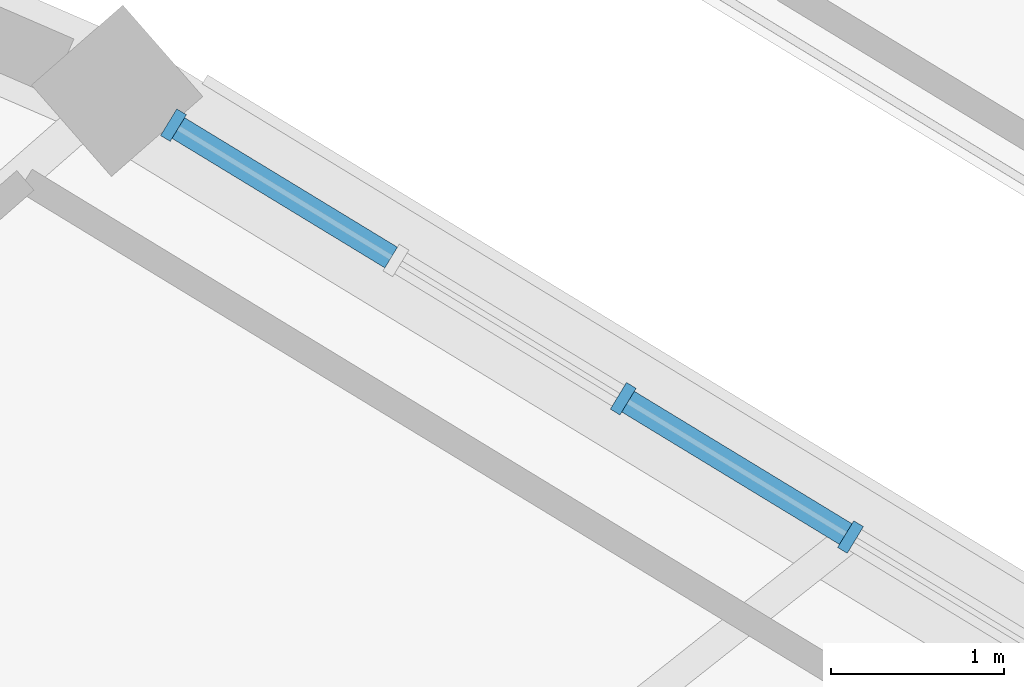
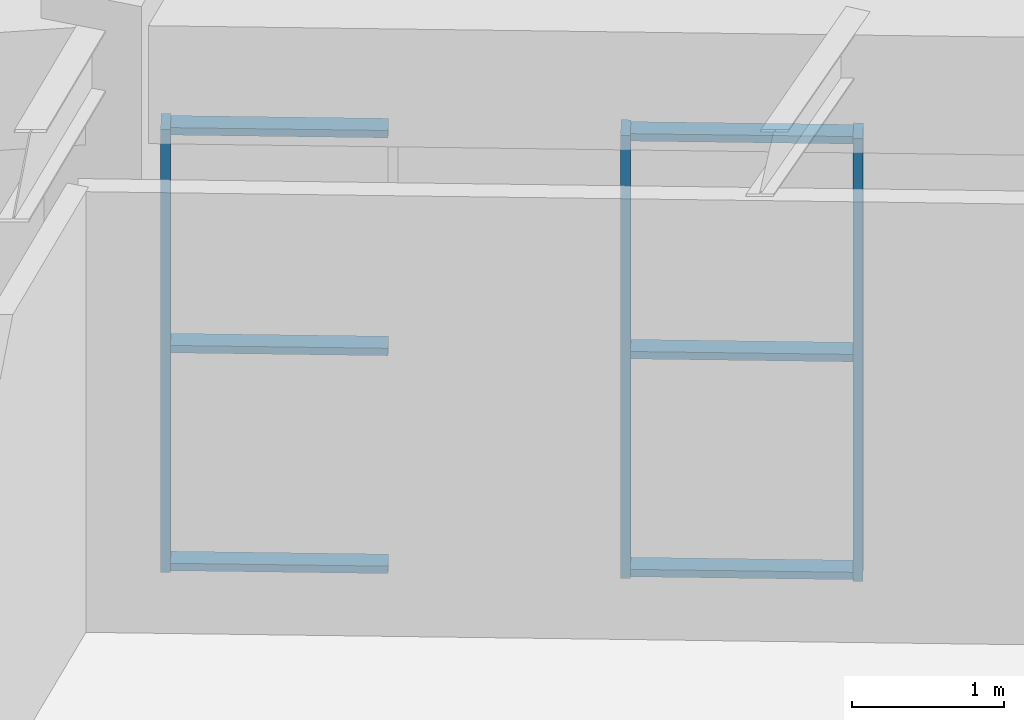
# One storey, part 68 of 137: 9 members, 1 element without a shape of its own.
"""IFC4 building model written with IfcOpenShell, lengths in metres."""

from ifc_helpers import new_model, si_unit, direction, frame, origin, origin_2d, place, context, subcontext, project, spatial, rectangle, extrude, material, layer, layer_set, material_profile, profile_set, type_object, element, aggregate, save


model = new_model("IFC4")

# Units and contexts
model_context = context("Model", 3, precision=1e-05, world=origin(), true_north=direction((0.0, 1.0)))
body_context = subcontext(model_context, "Body", "Model", "MODEL_VIEW")
ifc_project = project(units=[si_unit("LENGTHUNIT", "METRE"), si_unit("AREAUNIT", "SQUARE_METRE"), si_unit("VOLUMEUNIT", "CUBIC_METRE"), si_unit("PLANEANGLEUNIT", "RADIAN"), si_unit("MASSUNIT", "GRAM", prefix="KILO")], contexts=[model_context])

# Site, building, storey
site_placement = place(None, origin())
site = spatial("IfcSite", under=ifc_project, at=site_placement, CompositionType="ELEMENT")
building_placement = place(site_placement, origin())
building = spatial("IfcBuilding", under=site, at=building_placement, Name="Mphavela Belvedere Stadium", CompositionType="ELEMENT")
storey_placement = place(building_placement, frame((0.0, 0.0, 19.199951171875)))
storey = spatial("IfcBuildingStorey", under=building, at=storey_placement, Name="L04", CompositionType="ELEMENT", Elevation=19.199951171875)

# Curtain wall, members
ifc_material_1 = material(Name="Anodised bronze unitised curtain wall framing")
ifc_layer = layer(ifc_material_1, 0.195068359375)
ifc_layer_set = layer_set([ifc_layer], Name="Anodised bronze unitised curtain wall framing")
curtain_wall_type = type_object("IfcCurtainWallType", Name="CW-UNIT-04", PredefinedType="USERDEFINED", material=ifc_layer_set)
curtain_wall_placement = place(storey_placement, origin())
curtain_wall = element("IfcCurtainWall", 1, at=curtain_wall_placement, inside=storey, type_object=curtain_wall_type, Name="Belvedere colonnade curtain wall L04-07", ObjectType="UNITISED CURTAIN WALL", PredefinedType="USERDEFINED")
ifc_material_2 = material(Name="Anodised bronze extruded aluminium", Category="aluminium")
ifc_material_profile_1 = material_profile(ifc_material_2, rectangle(XDim=0.179931640625, YDim=0.06494140625, at=origin_2d()), Name="CW-MUL 180x65")
ifc_profile_set_1 = profile_set([ifc_material_profile_1], Name="Anodised bronze extruded aluminium")
member_type_1 = type_object("IfcMemberType", Name="CWM-180x65", PredefinedType="MULLION", material=ifc_profile_set_1)
member_1_placement = place(storey_placement, frame((189.92578125, 146.28759765625, 0.0), z_axis=(0.0, 0.0, 1.0), x_axis=(-0.519735341101, -0.854327323226, 0.0)))
member_1 = element("IfcMember", 2, at=member_1_placement, type_object=member_type_1, Name="CW-04 mullion 4", PredefinedType="MULLION", context=body_context, shape_type="SweptSolid", body=[
    extrude(rectangle(XDim=0.179931640625, YDim=0.06494140625, at=origin_2d()), origin(), (0.0, 0.0, 1.0), 3.570068359375),
])
member_2_placement = place(storey_placement, frame((188.614990234375, 147.085205078125, 0.0), z_axis=(0.0, 0.0, 1.0), x_axis=(-0.519735341101, -0.854327323226, 0.0)))
member_2 = element("IfcMember", 3, at=member_2_placement, type_object=member_type_1, Name="CW-04 mullion 5", PredefinedType="MULLION", context=body_context, shape_type="SweptSolid", body=[
    extrude(rectangle(XDim=0.179931640625, YDim=0.06494140625, at=origin_2d()), origin(), (0.0, 0.0, 1.0), 3.570068359375),
])
member_3_placement = place(storey_placement, frame((186.021240234375, 148.6630859375, 0.0), z_axis=(0.0, 0.0, 1.0), x_axis=(-0.519735341101, -0.854327323226, 0.0)))
member_3 = element("IfcMember", 4, at=member_3_placement, type_object=member_type_1, Name="CW-04 mullion 7", PredefinedType="MULLION", context=body_context, shape_type="SweptSolid", body=[
    extrude(rectangle(XDim=0.179931640625, YDim=0.06494140625, at=origin_2d()), origin(), (0.0, 0.0, 1.0), 3.570068359375),
])
ifc_material_3 = material(Name="Anodised bronze extruded aluminium", Category="aluminium")
ifc_material_profile_2 = material_profile(ifc_material_3, rectangle(XDim=0.139892578125, YDim=0.06005859375, at=origin_2d()), Name="CW-TRN 140x60")
ifc_profile_set_2 = profile_set([ifc_material_profile_2], Name="Anodised bronze extruded aluminium")
member_type_2 = type_object("IfcMemberType", Name="CWT-140x60", PredefinedType="USERDEFINED", material=ifc_profile_set_2)
member_4_placement = place(storey_placement, frame((189.898193359375, 146.3046875, 0.030029296875), z_axis=(-0.854339693741, 0.519715006228, 0.0), x_axis=(-0.519715006228, -0.854339693741, 0.0)))
member_4 = element("IfcMember", 5, at=member_4_placement, type_object=member_type_2, Name="CW-04 transom 4.1", ObjectType="TRANSOM", PredefinedType="USERDEFINED", context=body_context, shape_type="SweptSolid", body=[
    extrude(rectangle(XDim=0.139892578125, YDim=0.06005859375, at=origin_2d()), origin(), (0.0, 0.0, 1.0), 1.469482421875),
])
member_5_placement = place(storey_placement, frame((189.898193359375, 146.3046875, 1.78515625), z_axis=(-0.854339693741, 0.519715006228, 0.0), x_axis=(-0.519715006228, -0.854339693741, 0.0)))
member_5 = element("IfcMember", 6, at=member_5_placement, type_object=member_type_2, Name="CW-04 transom 4.2", ObjectType="TRANSOM", PredefinedType="USERDEFINED", context=body_context, shape_type="SweptSolid", body=[
    extrude(rectangle(XDim=0.139892578125, YDim=0.06005859375, at=origin_2d()), origin(), (0.0, 0.0, 1.0), 1.469482421875),
])
member_6_placement = place(storey_placement, frame((189.898193359375, 146.3046875, 3.5400390625), z_axis=(-0.854339693741, 0.519715006228, 0.0), x_axis=(-0.519715006228, -0.854339693741, 0.0)))
member_6 = element("IfcMember", 7, at=member_6_placement, type_object=member_type_2, Name="CW-04 transom 4.3", ObjectType="TRANSOM", PredefinedType="USERDEFINED", context=body_context, shape_type="SweptSolid", body=[
    extrude(rectangle(XDim=0.139892578125, YDim=0.06005859375, at=origin_2d()), origin(), (0.0, 0.0, 1.0), 1.469482421875),
])
member_7_placement = place(storey_placement, frame((187.276611328125, 147.8994140625, 0.030029296875), z_axis=(-0.854313371297, 0.519758274224, 0.0), x_axis=(-0.519758274224, -0.854313371297, 0.0)))
member_7 = element("IfcMember", 8, at=member_7_placement, type_object=member_type_2, Name="CW-04 transom 6.1", ObjectType="TRANSOM", PredefinedType="USERDEFINED", context=body_context, shape_type="SweptSolid", body=[
    extrude(rectangle(XDim=0.139892578125, YDim=0.06005859375, at=origin_2d()), origin(), (0.0, 0.0, 1.0), 1.436767578125),
])
member_8_placement = place(storey_placement, frame((187.276611328125, 147.8994140625, 1.78515625), z_axis=(-0.854313371297, 0.519758274224, 0.0), x_axis=(-0.519758274224, -0.854313371297, 0.0)))
member_8 = element("IfcMember", 9, at=member_8_placement, type_object=member_type_2, Name="CW-04 transom 6.2", ObjectType="TRANSOM", PredefinedType="USERDEFINED", context=body_context, shape_type="SweptSolid", body=[
    extrude(rectangle(XDim=0.139892578125, YDim=0.06005859375, at=origin_2d()), origin(), (0.0, 0.0, 1.0), 1.436767578125),
])
member_9_placement = place(storey_placement, frame((187.276611328125, 147.8994140625, 3.5400390625), z_axis=(-0.854313371297, 0.519758274224, 0.0), x_axis=(-0.519758274224, -0.854313371297, 0.0)))
member_9 = element("IfcMember", 10, at=member_9_placement, type_object=member_type_2, Name="CW-04 transom 6.3", ObjectType="TRANSOM", PredefinedType="USERDEFINED", context=body_context, shape_type="SweptSolid", body=[
    extrude(rectangle(XDim=0.139892578125, YDim=0.06005859375, at=origin_2d()), origin(), (0.0, 0.0, 1.0), 1.436767578125),
])
aggregate(curtain_wall, [member_1, member_2, member_3, member_4, member_5, member_6, member_7, member_8, member_9])

save(model, "model.ifc")
